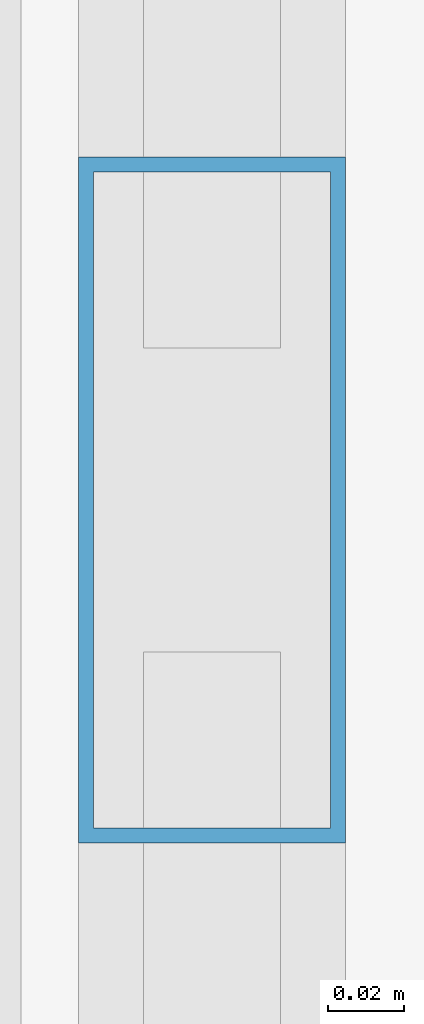
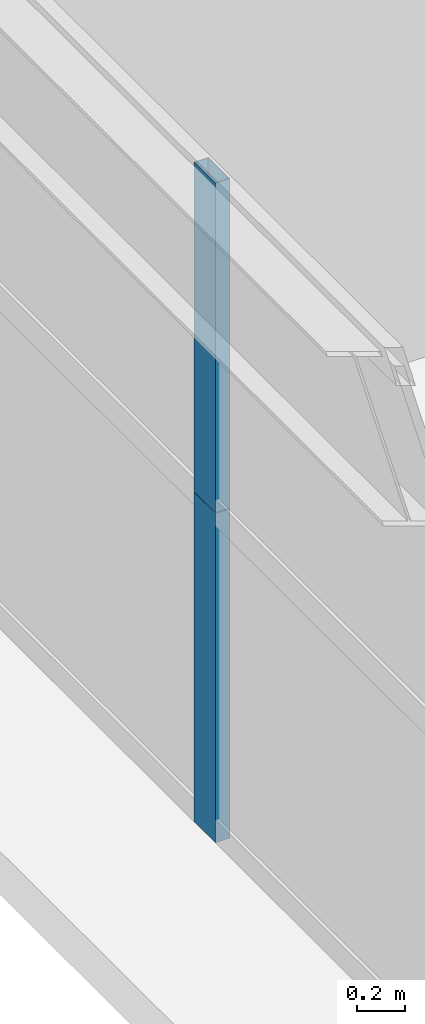
# One storey, part 9 of 43: 2 members, 1 element without a shape of its own.
"""IFC4 building model written with IfcOpenShell, lengths in metres."""

from ifc_helpers import new_model, si_unit, direction, frame, origin, origin_2d, place, context, subcontext, project, spatial, hollow_rectangle, extrude, source, transform, mapped, material, layer, layer_set, material_profile, profile_set, type_object, element, aggregate, save


model = new_model("IFC4")

# Units and contexts
model_context = context("Model", 3, precision=1e-05, world=origin(), true_north=direction((0.0, 1.0)))
body_context = subcontext(model_context, "Body", "Model", "MODEL_VIEW")
ifc_project = project(units=[si_unit("LENGTHUNIT", "METRE"), si_unit("AREAUNIT", "SQUARE_METRE"), si_unit("VOLUMEUNIT", "CUBIC_METRE"), si_unit("PLANEANGLEUNIT", "RADIAN"), si_unit("MASSUNIT", "GRAM", prefix="KILO"), si_unit("THERMODYNAMICTEMPERATUREUNIT", "KELVIN"), si_unit("POWERUNIT", "WATT")], contexts=[model_context])

# Site, building, storey
site_placement = place(None, origin())
site = spatial("IfcSite", under=ifc_project, at=site_placement, CompositionType="ELEMENT")
building_placement = place(site_placement, origin())
building = spatial("IfcBuilding", under=site, at=building_placement, Name="Yuzanri Waterfront Tower", CompositionType="ELEMENT")
storey_placement = place(building_placement, frame((0.0, 0.0, 46.0)))
storey = spatial("IfcBuildingStorey", under=building, at=storey_placement, Name="L11", CompositionType="ELEMENT", Elevation=46.0)

# Curtain wall, members
ifc_material_1 = material(Name="Anodized Architectural Bronze", Category="metal")
ifc_layer = layer(ifc_material_1, 0.159912109375)
ifc_layer_set = layer_set([ifc_layer], Name="Anodized Architectural Bronze")
curtain_wall_type = type_object("IfcCurtainWallType", Name="Anodized Bronze Hotel Lower-Tier Recessed Unitized Curtain Wall 8100", PredefinedType="NOTDEFINED", material=ifc_layer_set)
curtain_wall_placement = place(storey_placement, origin())
curtain_wall = element("IfcCurtainWall", 1, at=curtain_wall_placement, inside=storey, type_object=curtain_wall_type, Name="L11 Curtain Wall CW-L11-WL", PredefinedType="NOTDEFINED")
ifc_material_2 = material(Name="Anodized Architectural Bronze", Category="metal")
ifc_material_profile = material_profile(ifc_material_2, hollow_rectangle(XDim=0.070068359375, YDim=0.179931640625, WallThickness=0.00390625, at=origin_2d()), Name="CWM 70x180")
ifc_profile_set = profile_set([ifc_material_profile], Name="Anodized Architectural Bronze")
member_type = type_object("IfcMemberType", Name="Anodized Bronze Standard Curtain-Wall Mullion 70x180", PredefinedType="MULLION", material=ifc_profile_set)
shared_shape = source(origin(), body_context, "Body", "SweptSolid", [
    extrude(hollow_rectangle(XDim=0.070068359375, YDim=0.179931640625, WallThickness=0.00390625, at=origin_2d()), origin(), (0.0, 0.0, 1.0), 1.68798828125),
])
member_1_placement = place(storey_placement, frame((12.050048828125, 16.699951171875, 0.0), z_axis=(0.0, 0.0, 1.0), x_axis=(1.0, 0.0, 0.0)))
member_1 = element("IfcMember", 2, at=member_1_placement, type_object=member_type, Name="CW-L11-WL Lower Mullion 01", PredefinedType="MULLION", context=body_context, shape_type="MappedRepresentation", body=[
    mapped(shared_shape, transform((0.0, 0.0, 0.0), scale=1.0)),
])
member_2_placement = place(storey_placement, frame((12.050048828125, 16.699951171875, 1.69189453125), z_axis=(0.0, 0.0, 1.0), x_axis=(1.0, 0.0, 0.0)))
member_2 = element("IfcMember", 3, at=member_2_placement, type_object=member_type, Name="CW-L11-WL Upper Mullion 01", PredefinedType="MULLION", context=body_context, shape_type="MappedRepresentation", body=[
    mapped(shared_shape, transform((0.0, 0.0, 0.0), scale=1.0)),
])
aggregate(curtain_wall, [member_1, member_2])

save(model, "model.ifc")
